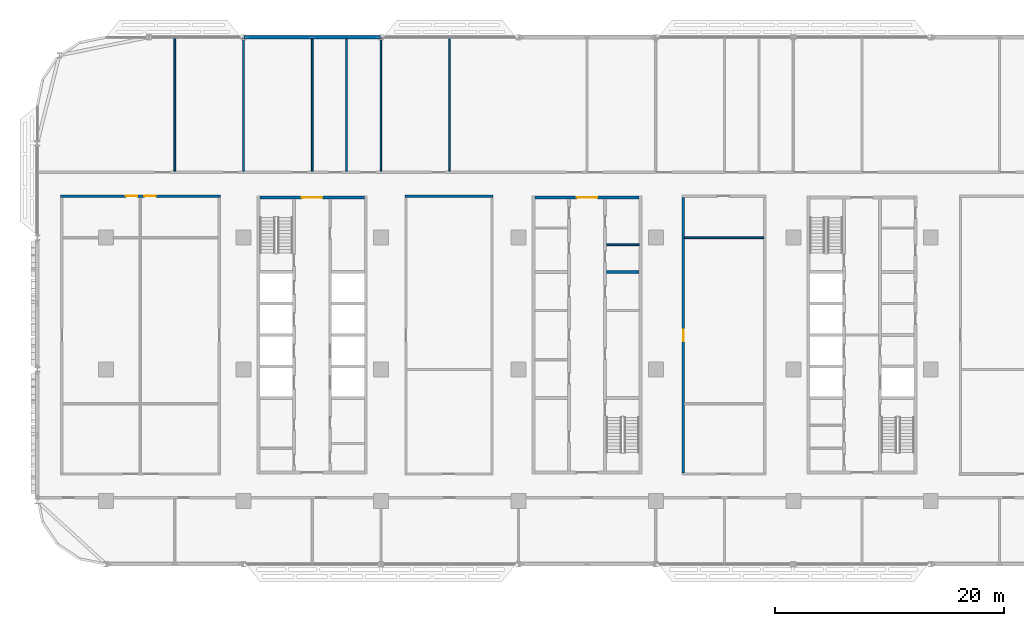
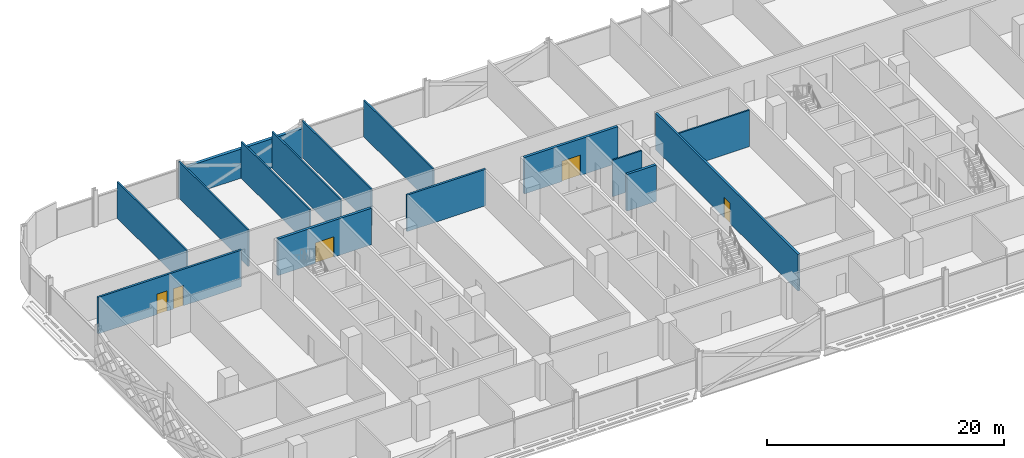
# One storey, part 15 of 29: 15 walls, 5 doors, 5 openings.
"""IFC4 building model written with IfcOpenShell, lengths in metres."""

from ifc_helpers import new_model, si_unit, direction, frame, frame_2d, origin, place, context, subcontext, project, spatial, rectangle, extrude, material, layer, layer_set, type_object, element, fill, save


model = new_model("IFC4")

# Units and contexts
model_context = context("Model", 3, precision=1e-05, world=origin(), true_north=direction((0.0, 1.0)))
body_context = subcontext(model_context, "Body", "Model", "MODEL_VIEW")
ifc_project = project(units=[si_unit("LENGTHUNIT", "METRE"), si_unit("AREAUNIT", "SQUARE_METRE"), si_unit("VOLUMEUNIT", "CUBIC_METRE"), si_unit("PLANEANGLEUNIT", "RADIAN"), si_unit("MASSUNIT", "GRAM", prefix="KILO")], contexts=[model_context])

# Site, building, storey
site_placement = place(None, origin())
site = spatial("IfcSite", under=ifc_project, at=site_placement, CompositionType="ELEMENT")
building_placement = place(site_placement, origin())
building = spatial("IfcBuilding", under=site, at=building_placement, Name="Mahtab Terrace Research Tower", CompositionType="ELEMENT")
storey_placement = place(building_placement, frame((0.0, 0.0, 126.10009765625)))
storey = spatial("IfcBuildingStorey", under=building, at=storey_placement, Name="L29", CompositionType="ELEMENT", Elevation=126.10009765625)

# Wall
ifc_material_1 = material(Name="Gypsum board partition")
ifc_layer_1 = layer(ifc_material_1, 0.14990234375)
ifc_layer_set_1 = layer_set([ifc_layer_1], Name="Core partition 150")
wall_type_1 = type_object("IfcWallType", Name="Core partition 150", PredefinedType="PARTITIONING", material=ifc_layer_set_1)
wall_1_placement = place(storey_placement, frame((1.699951171875, 10.875, 0.0), z_axis=(0.0, 0.0, 1.0), x_axis=(1.0, 0.0, 0.0)))
element("IfcWall", 1, at=wall_1_placement, inside=storey, type_object=wall_type_1, Name="Core wall B pEN788", PredefinedType="PARTITIONING", context=body_context, shape_type="SweptSolid", body=[
    extrude(rectangle(XDim=2.85009765625, YDim=0.14990234375, at=frame_2d((1.425048828125, 0.0))), origin(), (0.0, 0.0, 1.0), 3.760009765625),
])

# Wall, opening, door
ifc_material_2 = material(Name="Concrete C70/85", Category="concrete")
ifc_layer_2 = layer(ifc_material_2, 0.25)
ifc_layer_set_2 = layer_set([ifc_layer_2], Name="Core wall 250")
wall_type_2 = type_object("IfcWallType", Name="Core wall 250", PredefinedType="SOLIDWALL", material=ifc_layer_set_2)
wall_2_placement = place(storey_placement, frame((-28.550048828125, 15.0, 0.0), z_axis=(0.0, 0.0, 1.0), x_axis=(1.0, 0.0, 0.0)))
wall_2 = element("IfcWall", 2, at=wall_2_placement, inside=storey, type_object=wall_type_2, Name="Core wall A endN", PredefinedType="SOLIDWALL", context=body_context, shape_type="SweptSolid", body=[
    extrude(rectangle(XDim=9.10009765625, YDim=0.25, at=frame_2d((4.550048828125, 0.0))), origin(), (0.0, 0.0, 1.0), 3.760009765625),
])
opening_1_placement = place(wall_2_placement, frame((3.64990234375, 0.0, 0.0)))
opening_1 = element("IfcOpeningElement", 3, at=opening_1_placement, cuts=wall_2, Name="Opening A-N1", PredefinedType="OPENING", context=body_context, shape_type="SweptSolid", body=[
    extrude(rectangle(XDim=1.800048828125, YDim=2.10009765625, at=frame_2d((0.89990234375, 1.050048828125))), frame((0.0, 0.135009765625, 0.0), z_axis=(0.0, -1.0, 0.0), x_axis=(1.0, 0.0, 0.0)), (0.0, 0.0, 1.0), 0.27001953125),
])
ifc_material_3 = material(Name="Steel fire door", Category="steel")
door_type_1 = type_object("IfcDoorType", Name="Lobby double door 1800x2100 1 HR", OperationType="DOUBLE_DOOR_SINGLE_SWING", PredefinedType="DOOR", material=ifc_material_3)
door_1_placement = place(opening_1_placement, origin())
door_1 = element("IfcDoor", 4, at=door_1_placement, inside=storey, type_object=door_type_1, Name="Core entrance door A N", OperationType="DOUBLE_DOOR_SINGLE_SWING", OverallHeight=2.10009765625, OverallWidth=1.800048828125, PredefinedType="DOOR", context=body_context, shape_type="SweptSolid", body=[
    extrude(rectangle(XDim=1.800048828125, YDim=2.10009765625, at=frame_2d((0.89990234375, 1.050048828125))), frame((0.0, 0.02490234375, 0.0), z_axis=(0.0, -1.0, 0.0), x_axis=(1.0, 0.0, 0.0)), (0.0, 0.0, 1.0), 0.050048828125),
])
fill(opening_1, door_1)

wall_3_placement = place(storey_placement, frame((-4.550048828125, 15.0, 0.0), z_axis=(0.0, 0.0, 1.0), x_axis=(1.0, 0.0, 0.0)))
wall_3 = element("IfcWall", 5, at=wall_3_placement, inside=storey, type_object=wall_type_2, Name="Core wall B endN", PredefinedType="SOLIDWALL", context=body_context, shape_type="SweptSolid", body=[
    extrude(rectangle(XDim=9.10009765625, YDim=0.25, at=frame_2d((4.550048828125, 0.0))), origin(), (0.0, 0.0, 1.0), 3.760009765625),
])
opening_2_placement = place(wall_3_placement, frame((3.64990234375, 0.0, 0.0)))
opening_2 = element("IfcOpeningElement", 6, at=opening_2_placement, cuts=wall_3, Name="Opening B-N1", PredefinedType="OPENING", context=body_context, shape_type="SweptSolid", body=[
    extrude(rectangle(XDim=1.800048828125, YDim=2.10009765625, at=frame_2d((0.89990234375, 1.050048828125))), frame((0.0, 0.135009765625, 0.0), z_axis=(0.0, -1.0, 0.0), x_axis=(1.0, 0.0, 0.0)), (0.0, 0.0, 1.0), 0.27001953125),
])
door_2_placement = place(opening_2_placement, origin())
door_2 = element("IfcDoor", 7, at=door_2_placement, inside=storey, type_object=door_type_1, Name="Core entrance door B N", OperationType="DOUBLE_DOOR_SINGLE_SWING", OverallHeight=2.10009765625, OverallWidth=1.800048828125, PredefinedType="DOOR", context=body_context, shape_type="SweptSolid", body=[
    extrude(rectangle(XDim=1.800048828125, YDim=2.10009765625, at=frame_2d((0.89990234375, 1.050048828125))), frame((0.0, 0.02490234375, 0.0), z_axis=(0.0, -1.0, 0.0), x_axis=(1.0, 0.0, 0.0)), (0.0, 0.0, 1.0), 0.050048828125),
])
fill(opening_2, door_2)

# Walls
wall_4_placement = place(storey_placement, frame((1.699951171875, 8.5, 0.0), z_axis=(0.0, 0.0, 1.0), x_axis=(1.0, 0.0, 0.0)))
element("IfcWall", 8, at=wall_4_placement, inside=storey, type_object=wall_type_2, Name="Core wall B divE4", PredefinedType="SOLIDWALL", context=body_context, shape_type="SweptSolid", body=[
    extrude(rectangle(XDim=2.85009765625, YDim=0.25, at=frame_2d((1.425048828125, 0.0))), origin(), (0.0, 0.0, 1.0), 3.760009765625),
])
ifc_material_4 = material(Name="Black aluminium cladding panel", Category="aluminium")
ifc_layer_3 = layer(ifc_material_4, 0.300048828125)
ifc_layer_set_3 = layer_set([ifc_layer_3], Name="Opaque facade wall 300")
wall_type_3 = type_object("IfcWallType", Name="Opaque facade wall 300", PredefinedType="NOTDEFINED", material=ifc_layer_set_3)
wall_5_placement = place(storey_placement, frame((-18.017822265625, 29.0, 0.0), z_axis=(0.0, 0.0, 1.0), x_axis=(-1.0, 0.0, 0.0)))
element("IfcWall", 9, at=wall_5_placement, inside=storey, type_object=wall_type_3, Name="Opaque facade wall L29 N8", PredefinedType="NOTDEFINED", context=body_context, shape_type="SweptSolid", body=[
    extrude(rectangle(XDim=11.96435546875, YDim=0.300048828125, at=frame_2d((5.982177734375, 0.0))), origin(), (0.0, 0.0, 1.0), 3.0029296875),
])

# Wall, openings, doors
ifc_material_5 = material(Name="Gypsum board corridor wall on steel studs", Category="steel")
ifc_layer_4 = layer(ifc_material_5, 0.199951171875)
ifc_layer_set_4 = layer_set([ifc_layer_4], Name="WALL CORRIDOR 200")
wall_type_4 = type_object("IfcWallType", Name="WALL CORRIDOR 200", PredefinedType="PARTITIONING", material=ifc_layer_set_4)
wall_6_placement = place(storey_placement, frame((-45.949951171875, 15.125, 0.0), z_axis=(0.0, 0.0, 1.0), x_axis=(1.0, 0.0, 0.0)))
wall_6 = element("IfcWall", 10, at=wall_6_placement, inside=storey, type_object=wall_type_4, Name="L29-W022", PredefinedType="PARTITIONING", context=body_context, shape_type="SweptSolid", body=[
    extrude(rectangle(XDim=13.949951171875, YDim=0.199951171875, at=frame_2d((6.97509765625, 0.0))), origin(), (0.0, 0.0, 1.0), 3.760009765625),
])
opening_3_placement = place(wall_6_placement, frame((5.699951171875, 0.0, 0.0)))
opening_3 = element("IfcOpeningElement", 11, at=opening_3_placement, cuts=wall_6, Name="Opening L29-123", PredefinedType="OPENING", context=body_context, shape_type="SweptSolid", body=[
    extrude(rectangle(XDim=1.0, YDim=2.10009765625, at=frame_2d((0.5, 1.050048828125))), frame((0.0, 0.10986328125, 0.0), z_axis=(0.0, -1.0, 0.0), x_axis=(1.0, 0.0, 0.0)), (0.0, 0.0, 1.0), 0.219970703125),
])
opening_4_placement = place(wall_6_placement, frame((7.300048828125, 0.0, 0.0)))
opening_4 = element("IfcOpeningElement", 12, at=opening_4_placement, cuts=wall_6, Name="Opening L29-124", PredefinedType="OPENING", context=body_context, shape_type="SweptSolid", body=[
    extrude(rectangle(XDim=1.0, YDim=2.10009765625, at=frame_2d((0.5, 1.050048828125))), frame((0.0, 0.10986328125, 0.0), z_axis=(0.0, -1.0, 0.0), x_axis=(1.0, 0.0, 0.0)), (0.0, 0.0, 1.0), 0.219970703125),
])
ifc_material_6 = material(Name="Timber door leaf in steel frame", Category="steel")
door_type_2 = type_object("IfcDoorType", Name="DOOR 1000X2100 FD30S", OperationType="SINGLE_SWING_LEFT", PredefinedType="DOOR", material=ifc_material_6)
door_3_placement = place(opening_3_placement, origin())
door_3 = element("IfcDoor", 13, at=door_3_placement, inside=storey, type_object=door_type_2, Name="Door L29-123", OperationType="SINGLE_SWING_RIGHT", OverallHeight=2.10009765625, OverallWidth=1.0, PredefinedType="DOOR", context=body_context, shape_type="SweptSolid", body=[
    extrude(rectangle(XDim=1.0, YDim=2.10009765625, at=frame_2d((0.5, 1.050048828125))), frame((0.0, 0.02490234375, 0.0), z_axis=(0.0, -1.0, 0.0), x_axis=(1.0, 0.0, 0.0)), (0.0, 0.0, 1.0), 0.050048828125),
])
fill(opening_3, door_3)
door_4_placement = place(opening_4_placement, origin())
door_4 = element("IfcDoor", 14, at=door_4_placement, inside=storey, type_object=door_type_2, Name="Door L29-124", OperationType="SINGLE_SWING_LEFT", OverallHeight=2.10009765625, OverallWidth=1.0, PredefinedType="DOOR", context=body_context, shape_type="SweptSolid", body=[
    extrude(rectangle(XDim=1.0, YDim=2.10009765625, at=frame_2d((0.5, 1.050048828125))), frame((0.0, 0.02490234375, 0.0), z_axis=(0.0, -1.0, 0.0), x_axis=(1.0, 0.0, 0.0)), (0.0, 0.0, 1.0), 0.050048828125),
])
fill(opening_4, door_4)

# Wall
wall_7_placement = place(storey_placement, frame((-15.89990234375, 15.125, 0.0), z_axis=(0.0, 0.0, 1.0), x_axis=(1.0, 0.0, 0.0)))
element("IfcWall", 15, at=wall_7_placement, inside=storey, type_object=wall_type_4, Name="L29-W023", PredefinedType="PARTITIONING", context=body_context, shape_type="SweptSolid", body=[
    extrude(rectangle(XDim=7.699951171875, YDim=0.199951171875, at=frame_2d((3.85009765625, 0.0))), origin(), (0.0, 0.0, 1.0), 3.760009765625),
])

# Wall, opening, door
wall_8_placement = place(storey_placement, frame((8.39990234375, -9.02490234375, 0.0), z_axis=(0.0, 0.0, 1.0), x_axis=(0.0, 1.0, 0.0)))
wall_8 = element("IfcWall", 16, at=wall_8_placement, inside=storey, type_object=wall_type_4, Name="L29-W045", PredefinedType="PARTITIONING", context=body_context, shape_type="SweptSolid", body=[
    extrude(rectangle(XDim=24.0498046875, YDim=0.199951171875, at=frame_2d((12.02490234375, 0.0))), origin(), (0.0, 0.0, 1.0), 3.760009765625),
])
opening_5_placement = place(wall_8_placement, frame((11.5, 0.0, 0.0)))
opening_5 = element("IfcOpeningElement", 17, at=opening_5_placement, cuts=wall_8, Name="Opening L29-119", PredefinedType="OPENING", context=body_context, shape_type="SweptSolid", body=[
    extrude(rectangle(XDim=1.0, YDim=2.10009765625, at=frame_2d((0.5, 1.050048828125))), frame((0.0, 0.10986328125, 0.0), z_axis=(0.0, -1.0, 0.0), x_axis=(1.0, 0.0, 0.0)), (0.0, 0.0, 1.0), 0.219970703125),
])
door_5_placement = place(opening_5_placement, origin())
door_5 = element("IfcDoor", 18, at=door_5_placement, inside=storey, type_object=door_type_2, Name="Door L29-119", OperationType="SINGLE_SWING_RIGHT", OverallHeight=2.10009765625, OverallWidth=1.0, PredefinedType="DOOR", context=body_context, shape_type="SweptSolid", body=[
    extrude(rectangle(XDim=1.0, YDim=2.10009765625, at=frame_2d((0.5, 1.050048828125))), frame((0.0, 0.02490234375, 0.0), z_axis=(0.0, -1.0, 0.0), x_axis=(1.0, 0.0, 0.0)), (0.0, 0.0, 1.0), 0.050048828125),
])
fill(opening_5, door_5)

# Walls
ifc_material_7 = material(Name="Gypsum board partition on steel studs", Category="steel")
ifc_layer_5 = layer(ifc_material_7, 0.14990234375)
ifc_layer_set_5 = layer_set([ifc_layer_5], Name="WALL PARTITION 150")
wall_type_5 = type_object("IfcWallType", Name="WALL PARTITION 150", PredefinedType="PARTITIONING", material=ifc_layer_set_5)
wall_9_placement = place(storey_placement, frame((8.5, 11.5, 0.0), z_axis=(0.0, 0.0, 1.0), x_axis=(1.0, 0.0, 0.0)))
element("IfcWall", 19, at=wall_9_placement, inside=storey, type_object=wall_type_5, Name="L29-W021", PredefinedType="PARTITIONING", context=body_context, shape_type="SweptSolid", body=[
    extrude(rectangle(XDim=6.89990234375, YDim=0.14990234375, at=frame_2d((3.449951171875, 0.0))), origin(), (0.0, 0.0, 1.0), 3.760009765625),
])
for number, where, z_axis, x_axis, name in (
    (20, (-36.0, 17.300048828125, 0.0), (0.0, 0.0, 1.0), (0.0, 1.0, 0.0), "L29-W030"),
    (21, (-30.0, 17.300048828125, 0.0), (0.0, 0.0, 1.0), (0.0, 1.0, 0.0), "L29-W032"),
):
    element("IfcWall", number, at=place(storey_placement, frame(where, z_axis=z_axis, x_axis=x_axis)), inside=storey, type_object=wall_type_5, Name=name, PredefinedType="PARTITIONING", context=body_context, shape_type="SweptSolid", body=[
        extrude(rectangle(XDim=11.675048828125, YDim=0.14990234375, at=frame_2d((5.83740234375, 0.0))), origin(), (0.0, 0.0, 1.0), 3.760009765625),
    ])
for number, where, z_axis, x_axis, name in (
    (22, (-24.0, 17.300048828125, 0.0), (0.0, 0.0, 1.0), (0.0, 1.0, 0.0), "L29-W034"),
    (23, (-21.0, 17.300048828125, 0.0), (0.0, 0.0, 1.0), (0.0, 1.0, 0.0), "L29-W035"),
):
    element("IfcWall", number, at=place(storey_placement, frame(where, z_axis=z_axis, x_axis=x_axis)), inside=storey, type_object=wall_type_5, Name=name, PredefinedType="PARTITIONING", context=body_context, shape_type="SweptSolid", body=[
        extrude(rectangle(XDim=11.550048828125, YDim=0.14990234375, at=frame_2d((5.77490234375, 0.0))), origin(), (0.0, 0.0, 1.0), 3.760009765625),
    ])
for number, where, z_axis, x_axis, name in (
    (24, (-18.0, 17.300048828125, 0.0), (0.0, 0.0, 1.0), (0.0, 1.0, 0.0), "L29-W037"),
    (25, (-12.0, 17.300048828125, 0.0), (0.0, 0.0, 1.0), (0.0, 1.0, 0.0), "L29-W039"),
):
    element("IfcWall", number, at=place(storey_placement, frame(where, z_axis=z_axis, x_axis=x_axis)), inside=storey, type_object=wall_type_5, Name=name, PredefinedType="PARTITIONING", context=body_context, shape_type="SweptSolid", body=[
        extrude(rectangle(XDim=11.675048828125, YDim=0.14990234375, at=frame_2d((5.83740234375, 0.0))), origin(), (0.0, 0.0, 1.0), 3.760009765625),
    ])

save(model, "model.ifc")
